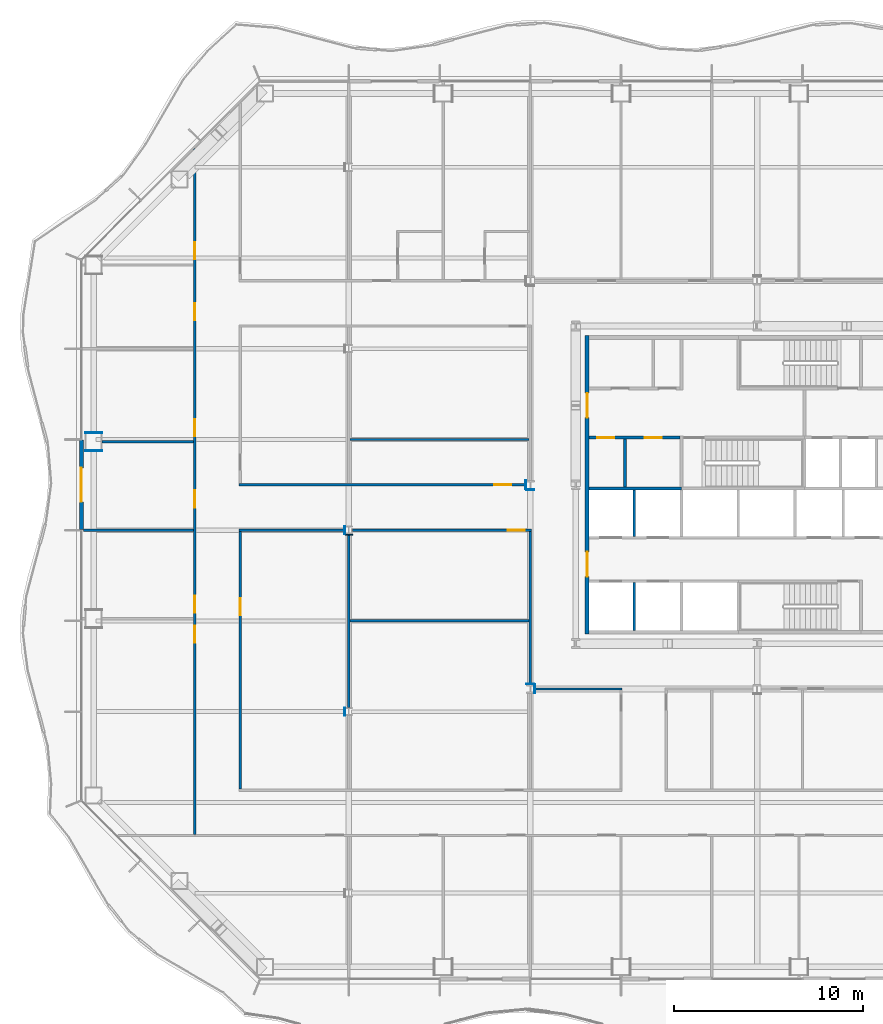
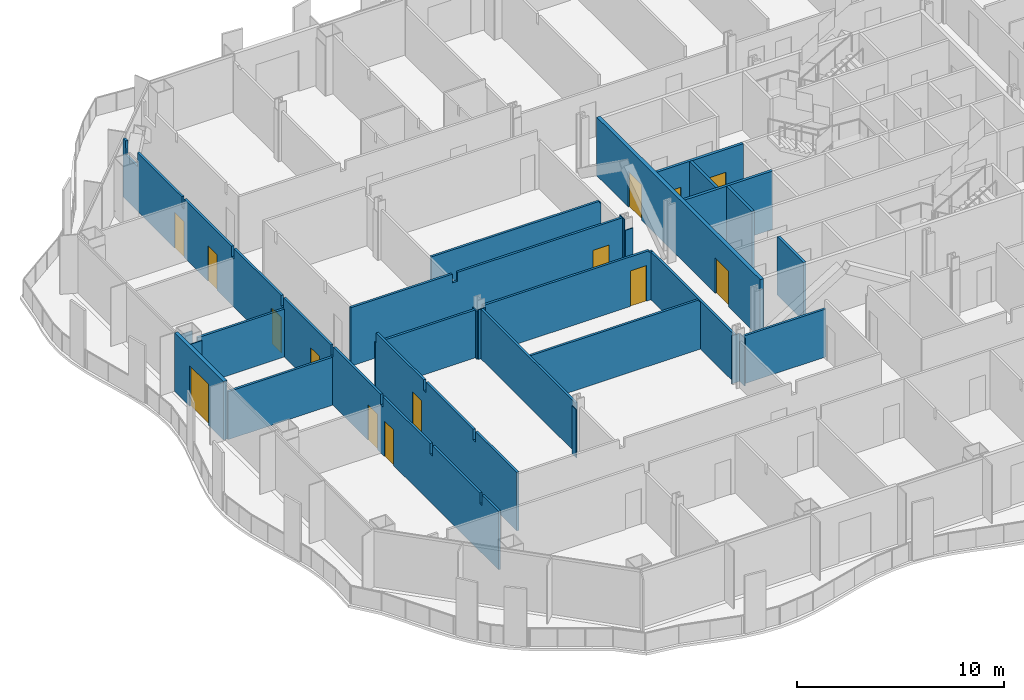
# One storey, part 8 of 21: 28 walls, 14 doors, 14 openings.
"""IFC4 building model written with IfcOpenShell, lengths in metres."""

from ifc_helpers import new_model, si_unit, direction, frame, frame_2d, origin, place, context, subcontext, project, spatial, polyline, rectangle, outline, extrude, material, layer, layer_set, type_object, element, fill, save


model = new_model("IFC4")

# Units and contexts
model_context = context("Model", 3, precision=1e-05, world=origin(), true_north=direction((0.0, 1.0)))
body_context = subcontext(model_context, "Body", "Model", "MODEL_VIEW")
ifc_project = project(units=[si_unit("LENGTHUNIT", "METRE"), si_unit("AREAUNIT", "SQUARE_METRE"), si_unit("VOLUMEUNIT", "CUBIC_METRE"), si_unit("PLANEANGLEUNIT", "RADIAN"), si_unit("MASSUNIT", "GRAM", prefix="KILO")], contexts=[model_context])

# Site, building, storey
site_placement = place(None, origin())
site = spatial("IfcSite", under=ifc_project, at=site_placement, CompositionType="ELEMENT")
building_placement = place(site_placement, origin())
building = spatial("IfcBuilding", under=site, at=building_placement, Name="Cairn Pilgrim Tower", CompositionType="ELEMENT")
storey_placement = place(building_placement, frame((0.0, 0.0, 69.0)))
storey = spatial("IfcBuildingStorey", under=building, at=storey_placement, Name="L15", CompositionType="ELEMENT", Elevation=69.0)

# Wall, opening, door
ifc_material_1 = material(Name="Bronze anodised aluminium insulated sandwich panel with mineral wool fill", Category="aluminium")
ifc_layer_1 = layer(ifc_material_1, 0.199951171875)
ifc_layer_set_1 = layer_set([ifc_layer_1], Name="BRONZE INFILL FRAME WALL 200")
wall_type_1 = type_object("IfcWallType", Name="BRONZE INFILL FRAME WALL 200", PredefinedType="NOTDEFINED", material=ifc_layer_set_1)
wall_1_placement = place(storey_placement, frame((-28.550048828125, 4.77001953125, 0.0), z_axis=(0.0, 0.0, 1.0), x_axis=(0.0, -1.0, 0.0)))
wall_1 = element("IfcWall", 1, at=wall_1_placement, inside=storey, type_object=wall_type_1, Name="Bronze infill frame wall IW-W3", PredefinedType="NOTDEFINED", context=body_context, shape_type="SweptSolid", body=[
    extrude(rectangle(XDim=4.739990234375, YDim=0.199951171875, at=frame_2d((2.3701171875, 0.0))), origin(), (0.0, 0.0, 1.0), 3.449951171875),
])
opening_1_placement = place(wall_1_placement, frame((1.469970703125, 0.0, 0.0)))
opening_1 = element("IfcOpeningElement", 2, at=opening_1_placement, cuts=wall_1, Name="Opening 1511B", PredefinedType="OPENING", context=body_context, shape_type="SweptSolid", body=[
    extrude(rectangle(XDim=1.800048828125, YDim=2.39990234375, at=frame_2d((0.89990234375, 1.199951171875))), frame((0.0, 0.10986328125, 0.0), z_axis=(0.0, -1.0, 0.0), x_axis=(1.0, 0.0, 0.0)), (0.0, 0.0, 1.0), 0.219970703125),
])
ifc_material_2 = material(Name="Bronze anodised aluminium frame with tinted low-E glass", Category="aluminium")
door_type_1 = type_object("IfcDoorType", Name="BALCONY SLIDING DOOR 1800x2400", OperationType="DOUBLE_DOOR_SLIDING", PredefinedType="DOOR", material=ifc_material_2)
door_1_placement = place(opening_1_placement, origin())
door_1 = element("IfcDoor", 3, at=door_1_placement, inside=storey, type_object=door_type_1, Name="Balcony sliding door 1511B", OperationType="SINGLE_SWING_LEFT", OverallHeight=2.39990234375, OverallWidth=1.800048828125, PredefinedType="DOOR", context=body_context, shape_type="SweptSolid", body=[
    extrude(rectangle(XDim=1.800048828125, YDim=2.39990234375, at=frame_2d((0.89990234375, 1.199951171875))), frame((0.0, 0.02490234375, 0.0), z_axis=(0.0, -1.0, 0.0), x_axis=(1.0, 0.0, 0.0)), (0.0, 0.0, 1.0), 0.050048828125),
])
fill(opening_1, door_1)

# Wall, openings, doors
ifc_material_3 = material(Name="Concrete C32/40", Category="concrete")
ifc_layer_2 = layer(ifc_material_3, 0.199951171875)
ifc_layer_set_2 = layer_set([ifc_layer_2], Name="CORE OUTER WALL 200 EI 120")
wall_type_2 = type_object("IfcWallType", Name="CORE OUTER WALL 200 EI 120", PredefinedType="SOLIDWALL", material=ifc_layer_set_2)
wall_2_placement = place(storey_placement, frame((-1.800048828125, -5.5, 0.0), z_axis=(0.0, 0.0, 1.0), x_axis=(0.0, 1.0, 0.0)))
wall_2 = element("IfcWall", 4, at=wall_2_placement, inside=storey, type_object=wall_type_2, Name="CW:L15:V12", PredefinedType="SOLIDWALL", context=body_context, shape_type="SweptSolid", body=[
    extrude(rectangle(XDim=15.800048828125, YDim=0.199951171875, at=frame_2d((7.89990234375, 0.0))), origin(), (0.0, 0.0, 1.0), 3.449951171875),
])
opening_2_placement = place(wall_2_placement, frame((3.050048828125, 0.0, 0.0)))
opening_2 = element("IfcOpeningElement", 5, at=opening_2_placement, cuts=wall_2, Name="Opening CD-W1", PredefinedType="OPENING", context=body_context, shape_type="SweptSolid", body=[
    extrude(rectangle(XDim=1.300048828125, YDim=2.10009765625, at=frame_2d((0.64990234375, 1.050048828125))), frame((0.0, 0.10986328125, 0.0), z_axis=(0.0, -1.0, 0.0), x_axis=(1.0, 0.0, 0.0)), (0.0, 0.0, 1.0), 0.219970703125),
])
opening_3_placement = place(wall_2_placement, frame((11.449951171875, 0.0, 0.0)))
opening_3 = element("IfcOpeningElement", 6, at=opening_3_placement, cuts=wall_2, Name="Opening CD-W2", PredefinedType="OPENING", context=body_context, shape_type="SweptSolid", body=[
    extrude(rectangle(XDim=1.300048828125, YDim=2.10009765625, at=frame_2d((0.64990234375, 1.050048828125))), frame((0.0, 0.10986328125, 0.0), z_axis=(0.0, -1.0, 0.0), x_axis=(1.0, 0.0, 0.0)), (0.0, 0.0, 1.0), 0.219970703125),
])
ifc_material_4 = material(Name="Painted steel", Category="steel")
door_type_2 = type_object("IfcDoorType", Name="CORE LOBBY DOOR 1300x2100", OperationType="DOUBLE_DOOR_SINGLE_SWING", PredefinedType="DOOR", material=ifc_material_4)
door_2_placement = place(opening_2_placement, origin())
door_2 = element("IfcDoor", 7, at=door_2_placement, inside=storey, type_object=door_type_2, Name="CD-W1", OperationType="DOUBLE_DOOR_SINGLE_SWING", OverallHeight=2.10009765625, OverallWidth=1.300048828125, PredefinedType="DOOR", context=body_context, shape_type="SweptSolid", body=[
    extrude(rectangle(XDim=1.300048828125, YDim=2.10009765625, at=frame_2d((0.64990234375, 1.050048828125))), frame((0.0, 0.02490234375, 0.0), z_axis=(0.0, -1.0, 0.0), x_axis=(1.0, 0.0, 0.0)), (0.0, 0.0, 1.0), 0.050048828125),
])
fill(opening_2, door_2)
door_3_placement = place(opening_3_placement, origin())
door_3 = element("IfcDoor", 8, at=door_3_placement, inside=storey, type_object=door_type_2, Name="CD-W2", OperationType="DOUBLE_DOOR_SINGLE_SWING", OverallHeight=2.10009765625, OverallWidth=1.300048828125, PredefinedType="DOOR", context=body_context, shape_type="SweptSolid", body=[
    extrude(rectangle(XDim=1.300048828125, YDim=2.10009765625, at=frame_2d((0.64990234375, 1.050048828125))), frame((0.0, 0.02490234375, 0.0), z_axis=(0.0, -1.0, 0.0), x_axis=(1.0, 0.0, 0.0)), (0.0, 0.0, 1.0), 0.050048828125),
])
fill(opening_3, door_3)

ifc_layer_3 = layer(ifc_material_3, 0.14990234375)
ifc_layer_set_3 = layer_set([ifc_layer_3], Name="CORE PARTITION 150 EI 60")
wall_type_3 = type_object("IfcWallType", Name="CORE PARTITION 150 EI 60", PredefinedType="PARTITIONING", material=ifc_layer_set_3)
wall_3_placement = place(storey_placement, frame((-1.699951171875, 4.89990234375, 0.0), z_axis=(0.0, 0.0, 1.0), x_axis=(1.0, 0.0, 0.0)))
wall_3 = element("IfcWall", 9, at=wall_3_placement, inside=storey, type_object=wall_type_3, Name="CW:L15:H07", PredefinedType="PARTITIONING", context=body_context, shape_type="SweptSolid", body=[
    extrude(rectangle(XDim=4.824951171875, YDim=0.14990234375, at=frame_2d((2.41259765625, 0.0))), origin(), (0.0, 0.0, 1.0), 3.449951171875),
])
opening_4_placement = place(wall_3_placement, frame((0.449951171875, 0.0, 0.0)))
opening_4 = element("IfcOpeningElement", 10, at=opening_4_placement, cuts=wall_3, Name="Opening RD-R3W1", PredefinedType="OPENING", context=body_context, shape_type="SweptSolid", body=[
    extrude(rectangle(XDim=0.89990234375, YDim=2.10009765625, at=frame_2d((0.449951171875, 1.050048828125))), frame((0.0, 0.0849609375, 0.0), z_axis=(0.0, -1.0, 0.0), x_axis=(1.0, 0.0, 0.0)), (0.0, 0.0, 1.0), 0.169921875),
])
opening_5_placement = place(wall_3_placement, frame((2.949951171875, 0.0, 0.0)))
opening_5 = element("IfcOpeningElement", 11, at=opening_5_placement, cuts=wall_3, Name="Opening RD-R3W2", PredefinedType="OPENING", context=body_context, shape_type="SweptSolid", body=[
    extrude(rectangle(XDim=0.89990234375, YDim=2.10009765625, at=frame_2d((0.449951171875, 1.050048828125))), frame((0.0, 0.0849609375, 0.0), z_axis=(0.0, -1.0, 0.0), x_axis=(1.0, 0.0, 0.0)), (0.0, 0.0, 1.0), 0.169921875),
])
door_type_3 = type_object("IfcDoorType", Name="SERVICE ROOM DOOR 900x2100", OperationType="SINGLE_SWING_LEFT", PredefinedType="DOOR", material=ifc_material_4)
door_4_placement = place(opening_4_placement, origin())
door_4 = element("IfcDoor", 12, at=door_4_placement, inside=storey, type_object=door_type_3, Name="RD-R3W1", OperationType="SINGLE_SWING_LEFT", OverallHeight=2.10009765625, OverallWidth=0.89990234375, PredefinedType="DOOR", context=body_context, shape_type="SweptSolid", body=[
    extrude(rectangle(XDim=0.89990234375, YDim=2.10009765625, at=frame_2d((0.449951171875, 1.050048828125))), frame((0.0, 0.02490234375, 0.0), z_axis=(0.0, -1.0, 0.0), x_axis=(1.0, 0.0, 0.0)), (0.0, 0.0, 1.0), 0.050048828125),
])
fill(opening_4, door_4)
door_5_placement = place(opening_5_placement, origin())
door_5 = element("IfcDoor", 13, at=door_5_placement, inside=storey, type_object=door_type_3, Name="RD-R3W2", OperationType="SINGLE_SWING_RIGHT", OverallHeight=2.10009765625, OverallWidth=0.89990234375, PredefinedType="DOOR", context=body_context, shape_type="SweptSolid", body=[
    extrude(rectangle(XDim=0.89990234375, YDim=2.10009765625, at=frame_2d((0.449951171875, 1.050048828125))), frame((0.0, 0.02490234375, 0.0), z_axis=(0.0, -1.0, 0.0), x_axis=(1.0, 0.0, 0.0)), (0.0, 0.0, 1.0), 0.050048828125),
])
fill(opening_5, door_5)

# Walls
wall_4_placement = place(storey_placement, frame((0.199951171875, 2.27490234375, 0.0), z_axis=(0.0, 0.0, 1.0), x_axis=(0.0, 1.0, 0.0)))
element("IfcWall", 14, at=wall_4_placement, inside=storey, type_object=wall_type_3, Name="CW:L15:V13", PredefinedType="PARTITIONING", context=body_context, shape_type="SweptSolid", body=[
    extrude(rectangle(XDim=2.550048828125, YDim=0.14990234375, at=frame_2d((1.27490234375, 0.0))), origin(), (0.0, 0.0, 1.0), 3.449951171875),
])
ifc_layer_4 = layer(ifc_material_3, 0.14990234375)
ifc_layer_set_4 = layer_set([ifc_layer_4], Name="CORE SHAFT WALL 150 EI 120")
wall_type_4 = type_object("IfcWallType", Name="CORE SHAFT WALL 150 EI 120", PredefinedType="SOLIDWALL", material=ifc_layer_set_4)
wall_5_placement = place(storey_placement, frame((-1.699951171875, 2.199951171875, 0.0), z_axis=(0.0, 0.0, 1.0), x_axis=(1.0, 0.0, 0.0)))
element("IfcWall", 15, at=wall_5_placement, inside=storey, type_object=wall_type_4, Name="CW:L15:H05-1", PredefinedType="SOLIDWALL", context=body_context, shape_type="SweptSolid", body=[
    extrude(rectangle(XDim=4.89990234375, YDim=0.14990234375, at=frame_2d((2.449951171875, 0.0))), origin(), (0.0, 0.0, 1.0), 3.449951171875),
])
wall_6_placement = place(storey_placement, frame((0.699951171875, -5.300048828125, 0.0), z_axis=(0.0, 0.0, 1.0), x_axis=(0.0, 1.0, 0.0)))
element("IfcWall", 16, at=wall_6_placement, inside=storey, type_object=wall_type_4, Name="CW:L15:V14", PredefinedType="SOLIDWALL", context=body_context, shape_type="SweptSolid", body=[
    extrude(rectangle(XDim=2.525146484375, YDim=0.14990234375, at=frame_2d((1.2626953125, 0.0))), origin(), (0.0, 0.0, 1.0), 3.449951171875),
])
wall_7_placement = place(storey_placement, frame((0.699951171875, -0.324951171875, 0.0), z_axis=(0.0, 0.0, 1.0), x_axis=(0.0, 1.0, 0.0)))
element("IfcWall", 17, at=wall_7_placement, inside=storey, type_object=wall_type_4, Name="CW:L15:V15", PredefinedType="SOLIDWALL", context=body_context, shape_type="SweptSolid", body=[
    extrude(rectangle(XDim=2.449951171875, YDim=0.14990234375, at=frame_2d((1.22509765625, 0.0))), origin(), (0.0, 0.0, 1.0), 3.449951171875),
])

# Wall, openings, doors
ifc_material_5 = material(Name="Gypsum partition")
ifc_layer_5 = layer(ifc_material_5, 0.125)
ifc_layer_set_5 = layer_set([ifc_layer_5], Name="PARTITION 125 DRYWALL EI 60")
wall_type_5 = type_object("IfcWallType", Name="PARTITION 125 DRYWALL EI 60", PredefinedType="PARTITIONING", material=ifc_layer_set_5)
wall_8_placement = place(storey_placement, frame((-22.550048828125, -16.08740234375, 0.0), z_axis=(0.0, 0.0, 1.0), x_axis=(0.0, 1.0, 0.0)))
wall_8 = element("IfcWall", 18, at=wall_8_placement, inside=storey, type_object=wall_type_5, Name="PARTITION W014", PredefinedType="PARTITIONING", context=body_context, shape_type="SweptSolid", body=[
    extrude(outline(polyline([(0.0, 0.0), (36.276123046875, 0.0), (36.276123046875, 3.449951171875), (36.022216796875, 3.449951171875), (36.020263671875, 2.6298828125), (34.9072265625, 2.6298828125), (34.9052734375, 3.449951171875), (30.597412109375, 3.449951171875), (30.595458984375, 2.830078125), (30.37744140625, 2.830078125), (30.37548828125, 3.449951171875), (25.797607421875, 3.449951171875), (25.79541015625, 2.830078125), (25.577392578125, 2.830078125), (25.575439453125, 3.449951171875), (20.99755859375, 3.449951171875), (20.99560546875, 2.830078125), (20.777587890625, 2.830078125), (20.775390625, 3.449951171875), (16.197509765625, 3.449951171875), (16.195556640625, 2.830078125), (15.9775390625, 2.830078125), (15.9755859375, 3.449951171875), (11.3974609375, 3.449951171875), (11.3955078125, 2.830078125), (11.177490234375, 2.830078125), (11.175537109375, 3.449951171875), (6.597412109375, 3.449951171875), (6.595458984375, 2.830078125), (6.37744140625, 2.830078125), (6.37548828125, 3.449951171875), (1.797607421875, 3.449951171875), (1.79541015625, 2.830078125), (1.577392578125, 2.830078125), (1.575439453125, 3.449951171875), (0.0, 3.449951171875), (0.0, 0.0)])), frame((0.0, 0.0625, 0.0), z_axis=(0.0, -1.0, 0.0), x_axis=(1.0, 0.0, 0.0)), (0.0, 0.0, 1.0), 0.125),
])
opening_6_placement = place(wall_8_placement, frame((10.137451171875, 0.0, 0.0)))
opening_6 = element("IfcOpeningElement", 19, at=opening_6_placement, cuts=wall_8, Name="Opening 1509", PredefinedType="OPENING", context=body_context, shape_type="SweptSolid", body=[
    extrude(rectangle(XDim=0.89990234375, YDim=2.10009765625, at=frame_2d((0.449951171875, 1.050048828125))), frame((0.0, 0.072509765625, 0.0), z_axis=(0.0, -1.0, 0.0), x_axis=(1.0, 0.0, 0.0)), (0.0, 0.0, 1.0), 0.14501953125),
])
opening_7_placement = place(wall_8_placement, frame((11.71142578125, 0.0, 0.0)))
opening_7 = element("IfcOpeningElement", 20, at=opening_7_placement, cuts=wall_8, Name="Opening 1510", PredefinedType="OPENING", context=body_context, shape_type="SweptSolid", body=[
    extrude(rectangle(XDim=0.89990234375, YDim=2.10009765625, at=frame_2d((0.449951171875, 1.050048828125))), frame((0.0, 0.072509765625, 0.0), z_axis=(0.0, -1.0, 0.0), x_axis=(1.0, 0.0, 0.0)), (0.0, 0.0, 1.0), 0.14501953125),
])
opening_8_placement = place(wall_8_placement, frame((17.28759765625, 0.0, 0.0)))
opening_8 = element("IfcOpeningElement", 21, at=opening_8_placement, cuts=wall_8, Name="Opening 1511", PredefinedType="OPENING", context=body_context, shape_type="SweptSolid", body=[
    extrude(rectangle(XDim=0.89990234375, YDim=2.10009765625, at=frame_2d((0.449951171875, 1.050048828125))), frame((0.0, 0.072509765625, 0.0), z_axis=(0.0, -1.0, 0.0), x_axis=(1.0, 0.0, 0.0)), (0.0, 0.0, 1.0), 0.14501953125),
])
opening_9_placement = place(wall_8_placement, frame((21.0634765625, 0.0, 0.0)))
opening_9 = element("IfcOpeningElement", 22, at=opening_9_placement, cuts=wall_8, Name="Opening 1512", PredefinedType="OPENING", context=body_context, shape_type="SweptSolid", body=[
    extrude(rectangle(XDim=0.89990234375, YDim=2.10009765625, at=frame_2d((0.449951171875, 1.050048828125))), frame((0.0, 0.072509765625, 0.0), z_axis=(0.0, -1.0, 0.0), x_axis=(1.0, 0.0, 0.0)), (0.0, 0.0, 1.0), 0.14501953125),
])
opening_10_placement = place(wall_8_placement, frame((27.1875, 0.0, 0.0)))
opening_10 = element("IfcOpeningElement", 23, at=opening_10_placement, cuts=wall_8, Name="Opening 1513", PredefinedType="OPENING", context=body_context, shape_type="SweptSolid", body=[
    extrude(rectangle(XDim=0.89990234375, YDim=2.10009765625, at=frame_2d((0.449951171875, 1.050048828125))), frame((0.0, 0.072509765625, 0.0), z_axis=(0.0, -1.0, 0.0), x_axis=(1.0, 0.0, 0.0)), (0.0, 0.0, 1.0), 0.14501953125),
])
opening_11_placement = place(wall_8_placement, frame((30.41455078125, 0.0, 0.0)))
opening_11 = element("IfcOpeningElement", 24, at=opening_11_placement, cuts=wall_8, Name="Opening 1514", PredefinedType="OPENING", context=body_context, shape_type="SweptSolid", body=[
    extrude(rectangle(XDim=0.89990234375, YDim=2.10009765625, at=frame_2d((0.449951171875, 1.050048828125))), frame((0.0, 0.072509765625, 0.0), z_axis=(0.0, -1.0, 0.0), x_axis=(1.0, 0.0, 0.0)), (0.0, 0.0, 1.0), 0.14501953125),
])
ifc_material_6 = material(Name="Steel-faced fire door leaf", Category="steel")
door_type_4 = type_object("IfcDoorType", Name="FIRE DOOR 900x2100 FD30S", OperationType="NOTDEFINED", PredefinedType="DOOR", material=ifc_material_6)
door_6_placement = place(opening_6_placement, origin())
door_6 = element("IfcDoor", 25, at=door_6_placement, inside=storey, type_object=door_type_4, Name="DOOR 1509", OperationType="SINGLE_SWING_RIGHT", OverallHeight=2.10009765625, OverallWidth=0.89990234375, PredefinedType="DOOR", context=body_context, shape_type="SweptSolid", body=[
    extrude(rectangle(XDim=0.89990234375, YDim=2.10009765625, at=frame_2d((0.449951171875, 1.050048828125))), frame((0.0, 0.02490234375, 0.0), z_axis=(0.0, -1.0, 0.0), x_axis=(1.0, 0.0, 0.0)), (0.0, 0.0, 1.0), 0.050048828125),
])
fill(opening_6, door_6)
door_7_placement = place(opening_7_placement, origin())
door_7 = element("IfcDoor", 26, at=door_7_placement, inside=storey, type_object=door_type_4, Name="DOOR 1510", OperationType="SINGLE_SWING_LEFT", OverallHeight=2.10009765625, OverallWidth=0.89990234375, PredefinedType="DOOR", context=body_context, shape_type="SweptSolid", body=[
    extrude(rectangle(XDim=0.89990234375, YDim=2.10009765625, at=frame_2d((0.449951171875, 1.050048828125))), frame((0.0, 0.02490234375, 0.0), z_axis=(0.0, -1.0, 0.0), x_axis=(1.0, 0.0, 0.0)), (0.0, 0.0, 1.0), 0.050048828125),
])
fill(opening_7, door_7)
door_8_placement = place(opening_8_placement, origin())
door_8 = element("IfcDoor", 27, at=door_8_placement, inside=storey, type_object=door_type_4, Name="DOOR 1511", OperationType="SINGLE_SWING_RIGHT", OverallHeight=2.10009765625, OverallWidth=0.89990234375, PredefinedType="DOOR", context=body_context, shape_type="SweptSolid", body=[
    extrude(rectangle(XDim=0.89990234375, YDim=2.10009765625, at=frame_2d((0.449951171875, 1.050048828125))), frame((0.0, 0.02490234375, 0.0), z_axis=(0.0, -1.0, 0.0), x_axis=(1.0, 0.0, 0.0)), (0.0, 0.0, 1.0), 0.050048828125),
])
fill(opening_8, door_8)
door_9_placement = place(opening_9_placement, origin())
door_9 = element("IfcDoor", 28, at=door_9_placement, inside=storey, type_object=door_type_4, Name="DOOR 1512", OperationType="SINGLE_SWING_LEFT", OverallHeight=2.10009765625, OverallWidth=0.89990234375, PredefinedType="DOOR", context=body_context, shape_type="SweptSolid", body=[
    extrude(rectangle(XDim=0.89990234375, YDim=2.10009765625, at=frame_2d((0.449951171875, 1.050048828125))), frame((0.0, 0.02490234375, 0.0), z_axis=(0.0, -1.0, 0.0), x_axis=(1.0, 0.0, 0.0)), (0.0, 0.0, 1.0), 0.050048828125),
])
fill(opening_9, door_9)
door_10_placement = place(opening_10_placement, origin())
door_10 = element("IfcDoor", 29, at=door_10_placement, inside=storey, type_object=door_type_4, Name="DOOR 1513", OperationType="SINGLE_SWING_RIGHT", OverallHeight=2.10009765625, OverallWidth=0.89990234375, PredefinedType="DOOR", context=body_context, shape_type="SweptSolid", body=[
    extrude(rectangle(XDim=0.89990234375, YDim=2.10009765625, at=frame_2d((0.449951171875, 1.050048828125))), frame((0.0, 0.02490234375, 0.0), z_axis=(0.0, -1.0, 0.0), x_axis=(1.0, 0.0, 0.0)), (0.0, 0.0, 1.0), 0.050048828125),
])
fill(opening_10, door_10)
door_11_placement = place(opening_11_placement, origin())
door_11 = element("IfcDoor", 30, at=door_11_placement, inside=storey, type_object=door_type_4, Name="DOOR 1514", OperationType="SINGLE_SWING_LEFT", OverallHeight=2.10009765625, OverallWidth=0.89990234375, PredefinedType="DOOR", context=body_context, shape_type="SweptSolid", body=[
    extrude(rectangle(XDim=0.89990234375, YDim=2.10009765625, at=frame_2d((0.449951171875, 1.050048828125))), frame((0.0, 0.02490234375, 0.0), z_axis=(0.0, -1.0, 0.0), x_axis=(1.0, 0.0, 0.0)), (0.0, 0.0, 1.0), 0.050048828125),
])
fill(opening_11, door_11)

# Wall, opening, door
wall_9_placement = place(storey_placement, frame((-20.14990234375, -13.6875, 0.0), z_axis=(0.0, 0.0, 1.0), x_axis=(0.0, 1.0, 0.0)))
wall_9 = element("IfcWall", 31, at=wall_9_placement, inside=storey, type_object=wall_type_5, Name="PARTITION W018", PredefinedType="PARTITIONING", context=body_context, shape_type="SweptSolid", body=[
    extrude(outline(polyline([(0.0, 0.0), (13.625, 0.0), (13.625, 2.830078125), (13.577392578125, 2.830078125), (13.575439453125, 3.449951171875), (8.99755859375, 3.449951171875), (8.99560546875, 2.830078125), (8.777587890625, 2.830078125), (8.775390625, 3.449951171875), (4.197509765625, 3.449951171875), (4.195556640625, 2.830078125), (3.9775390625, 2.830078125), (3.9755859375, 3.449951171875), (0.0, 3.449951171875), (0.0, 0.0)])), frame((0.0, 0.0625, 0.0), z_axis=(0.0, -1.0, 0.0), x_axis=(1.0, 0.0, 0.0)), (0.0, 0.0, 1.0), 0.125),
])
opening_12_placement = place(wall_9_placement, frame((9.1875, 0.0, 0.0)))
opening_12 = element("IfcOpeningElement", 32, at=opening_12_placement, cuts=wall_9, Name="Opening 1533", PredefinedType="OPENING", context=body_context, shape_type="SweptSolid", body=[
    extrude(rectangle(XDim=0.89990234375, YDim=2.10009765625, at=frame_2d((0.449951171875, 1.050048828125))), frame((0.0, 0.072509765625, 0.0), z_axis=(0.0, -1.0, 0.0), x_axis=(1.0, 0.0, 0.0)), (0.0, 0.0, 1.0), 0.14501953125),
])
door_12_placement = place(opening_12_placement, frame((0.89990234375, 0.0, 0.0), z_axis=(0.0, 0.0, 1.0), x_axis=(-1.0, 0.0, 0.0)))
door_12 = element("IfcDoor", 33, at=door_12_placement, inside=storey, type_object=door_type_4, Name="DOOR 1533", OperationType="SINGLE_SWING_RIGHT", OverallHeight=2.10009765625, OverallWidth=0.89990234375, PredefinedType="DOOR", context=body_context, shape_type="SweptSolid", body=[
    extrude(rectangle(XDim=0.89990234375, YDim=2.10009765625, at=frame_2d((0.449951171875, 1.050048828125))), frame((0.0, 0.02490234375, 0.0), z_axis=(0.0, -1.0, 0.0), x_axis=(1.0, 0.0, 0.0)), (0.0, 0.0, 1.0), 0.050048828125),
])
fill(opening_12, door_12)

# Walls
wall_10_placement = place(storey_placement, frame((-14.39990234375, -9.387451171875, 0.0), z_axis=(0.0, 0.0, 1.0), x_axis=(0.0, 1.0, 0.0)))
element("IfcWall", 34, at=wall_10_placement, inside=storey, type_object=wall_type_5, Name="PARTITION W029", PredefinedType="PARTITIONING", context=body_context, shape_type="SweptSolid", body=[
    extrude(rectangle(XDim=9.175048828125, YDim=0.125, at=frame_2d((4.58740234375, 0.0))), origin(), (0.0, 0.0, 1.0), 2.929931640625),
])
wall_11_placement = place(storey_placement, frame((-4.587890625, -8.39990234375, 0.0), z_axis=(0.0, 0.0, 1.0), x_axis=(1.0, 0.0, 0.0)))
element("IfcWall", 35, at=wall_11_placement, inside=storey, type_object=wall_type_5, Name="PARTITION W030", PredefinedType="PARTITIONING", context=body_context, shape_type="SweptSolid", body=[
    extrude(rectangle(XDim=4.650390625, YDim=0.125, at=frame_2d((2.3251953125, 0.0))), origin(), (0.0, 0.0, 1.0), 2.830078125),
])
wall_12_placement = place(storey_placement, frame((-4.800048828125, -8.1630859375, 0.0), z_axis=(0.0, 0.0, 1.0), x_axis=(0.0, 1.0, 0.0)))
element("IfcWall", 36, at=wall_12_placement, inside=storey, type_object=wall_type_5, Name="PARTITION W033", PredefinedType="PARTITIONING", context=body_context, shape_type="SweptSolid", body=[
    extrude(rectangle(XDim=8.1005859375, YDim=0.125, at=frame_2d((4.05029296875, 0.0))), origin(), (0.0, 0.0, 1.0), 2.830078125),
])
wall_13_placement = place(storey_placement, frame((-14.33740234375, -4.800048828125, 0.0), z_axis=(0.0, 0.0, 1.0), x_axis=(1.0, 0.0, 0.0)))
element("IfcWall", 37, at=wall_13_placement, inside=storey, type_object=wall_type_5, Name="PARTITION W036", PredefinedType="PARTITIONING", context=body_context, shape_type="SweptSolid", body=[
    extrude(outline(polyline([(0.0, 0.0), (9.474853515625, 0.0), (9.47509765625, 2.830078125), (9.387451171875, 2.830078125), (9.385498046875, 2.929931640625), (0.0, 2.929931640625), (0.0, 0.0)])), frame((0.0, 0.0625, 0.0), z_axis=(0.0, -1.0, 0.0), x_axis=(1.0, 0.0, 0.0)), (0.0, 0.0, 1.0), 0.125),
])
wall_14_placement = place(storey_placement, frame((-28.449951171875, 0.0, 0.0), z_axis=(0.0, 0.0, 1.0), x_axis=(1.0, 0.0, 0.0)))
element("IfcWall", 38, at=wall_14_placement, inside=storey, type_object=wall_type_5, Name="PARTITION W043", PredefinedType="PARTITIONING", context=body_context, shape_type="SweptSolid", body=[
    extrude(rectangle(XDim=5.83740234375, YDim=0.125, at=frame_2d((2.918701171875, 0.0))), origin(), (0.0, 0.0, 1.0), 2.830078125),
])
wall_15_placement = place(storey_placement, frame((-20.21240234375, 0.0, 0.0), z_axis=(0.0, 0.0, 1.0), x_axis=(1.0, 0.0, 0.0)))
element("IfcWall", 39, at=wall_15_placement, inside=storey, type_object=wall_type_5, Name="PARTITION W044", PredefinedType="PARTITIONING", context=body_context, shape_type="SweptSolid", body=[
    extrude(rectangle(XDim=5.60791015625, YDim=0.125, at=frame_2d((2.803955078125, 0.0))), origin(), (0.0, 0.0, 1.0), 2.830078125),
])

# Wall, opening, door
wall_16_placement = place(storey_placement, frame((-14.195556640625, 0.0, 0.0), z_axis=(0.0, 0.0, 1.0), x_axis=(1.0, 0.0, 0.0)))
wall_16 = element("IfcWall", 40, at=wall_16_placement, inside=storey, type_object=wall_type_5, Name="PARTITION W045", PredefinedType="PARTITIONING", context=body_context, shape_type="SweptSolid", body=[
    extrude(outline(polyline([(0.0, 0.0), (9.4580078125, 0.0), (9.4580078125, 2.830078125), (9.24560546875, 2.830078125), (9.243408203125, 2.929931640625), (0.0, 2.929931640625), (0.0, 0.0)])), frame((0.0, 0.0625, 0.0), z_axis=(0.0, -1.0, 0.0), x_axis=(1.0, 0.0, 0.0)), (0.0, 0.0, 1.0), 0.125),
])
opening_13_placement = place(wall_16_placement, frame((8.195556640625, 0.0, 0.0)))
opening_13 = element("IfcOpeningElement", 41, at=opening_13_placement, cuts=wall_16, Name="Opening 1530", PredefinedType="OPENING", context=body_context, shape_type="SweptSolid", body=[
    extrude(rectangle(XDim=0.89990234375, YDim=2.10009765625, at=frame_2d((0.449951171875, 1.050048828125))), frame((0.0, 0.072509765625, 0.0), z_axis=(0.0, -1.0, 0.0), x_axis=(1.0, 0.0, 0.0)), (0.0, 0.0, 1.0), 0.14501953125),
])
door_13_placement = place(opening_13_placement, frame((0.89990234375, 0.0, 0.0), z_axis=(0.0, 0.0, 1.0), x_axis=(-1.0, 0.0, 0.0)))
door_13 = element("IfcDoor", 42, at=door_13_placement, inside=storey, type_object=door_type_4, Name="DOOR 1530", OperationType="SINGLE_SWING_LEFT", OverallHeight=2.10009765625, OverallWidth=0.89990234375, PredefinedType="DOOR", context=body_context, shape_type="SweptSolid", body=[
    extrude(rectangle(XDim=0.89990234375, YDim=2.10009765625, at=frame_2d((0.449951171875, 1.050048828125))), frame((0.0, 0.02490234375, 0.0), z_axis=(0.0, -1.0, 0.0), x_axis=(1.0, 0.0, 0.0)), (0.0, 0.0, 1.0), 0.050048828125),
])
fill(opening_13, door_13)

wall_17_placement = place(storey_placement, frame((-20.21240234375, 2.39990234375, 0.0), z_axis=(0.0, 0.0, 1.0), x_axis=(1.0, 0.0, 0.0)))
wall_17 = element("IfcWall", 43, at=wall_17_placement, inside=storey, type_object=wall_type_5, Name="PARTITION W049", PredefinedType="PARTITIONING", context=body_context, shape_type="SweptSolid", body=[
    extrude(outline(polyline([(0.0, 0.0), (15.200439453125, 0.0), (15.200439453125, 3.449951171875), (5.96240234375, 3.449951171875), (5.96044921875, 2.929931640625), (5.66259765625, 2.929931640625), (5.660400390625, 3.449951171875), (0.0, 3.449951171875), (0.0, 0.0)])), frame((0.0, 0.0625, 0.0), z_axis=(0.0, -1.0, 0.0), x_axis=(1.0, 0.0, 0.0)), (0.0, 0.0, 1.0), 0.125),
])
opening_14_placement = place(wall_17_placement, frame((13.512451171875, 0.0, 0.0)))
opening_14 = element("IfcOpeningElement", 44, at=opening_14_placement, cuts=wall_17, Name="Opening 1531", PredefinedType="OPENING", context=body_context, shape_type="SweptSolid", body=[
    extrude(rectangle(XDim=0.89990234375, YDim=2.10009765625, at=frame_2d((0.449951171875, 1.050048828125))), frame((0.0, 0.072509765625, 0.0), z_axis=(0.0, -1.0, 0.0), x_axis=(1.0, 0.0, 0.0)), (0.0, 0.0, 1.0), 0.14501953125),
])
door_14_placement = place(opening_14_placement, origin())
door_14 = element("IfcDoor", 45, at=door_14_placement, inside=storey, type_object=door_type_4, Name="DOOR 1531", OperationType="SINGLE_SWING_RIGHT", OverallHeight=2.10009765625, OverallWidth=0.89990234375, PredefinedType="DOOR", context=body_context, shape_type="SweptSolid", body=[
    extrude(rectangle(XDim=0.89990234375, YDim=2.10009765625, at=frame_2d((0.449951171875, 1.050048828125))), frame((0.0, 0.02490234375, 0.0), z_axis=(0.0, -1.0, 0.0), x_axis=(1.0, 0.0, 0.0)), (0.0, 0.0, 1.0), 0.050048828125),
])
fill(opening_14, door_14)

# Walls
wall_18_placement = place(storey_placement, frame((-27.449951171875, 4.676025390625, 0.0), z_axis=(0.0, 0.0, 1.0), x_axis=(1.0, 0.0, 0.0)))
element("IfcWall", 46, at=wall_18_placement, inside=storey, type_object=wall_type_5, Name="PARTITION W054", PredefinedType="PARTITIONING", context=body_context, shape_type="SweptSolid", body=[
    extrude(rectangle(XDim=4.83740234375, YDim=0.125, at=frame_2d((2.418701171875, 0.0))), origin(), (0.0, 0.0, 1.0), 2.830078125),
])
wall_19_placement = place(storey_placement, frame((-14.33740234375, 4.800048828125, 0.0), z_axis=(0.0, 0.0, 1.0), x_axis=(1.0, 0.0, 0.0)))
element("IfcWall", 47, at=wall_19_placement, inside=storey, type_object=wall_type_5, Name="PARTITION W056", PredefinedType="PARTITIONING", context=body_context, shape_type="SweptSolid", body=[
    extrude(outline(polyline([(0.0, 0.0), (9.474853515625, 0.0), (9.47509765625, 2.830078125), (9.387451171875, 2.830078125), (9.385498046875, 2.929931640625), (0.0, 2.929931640625), (0.0, 0.0)])), frame((0.0, 0.0625, 0.0), z_axis=(0.0, -1.0, 0.0), x_axis=(1.0, 0.0, 0.0)), (0.0, 0.0, 1.0), 0.125),
])
ifc_layer_6 = layer(ifc_material_5, 0.050048828125)
ifc_layer_set_6 = layer_set([ifc_layer_6], Name="PARTITION 50 DRYWALL EI 60")
wall_type_6 = type_object("IfcWallType", Name="PARTITION 50 DRYWALL EI 60", PredefinedType="PARTITIONING", material=ifc_layer_set_6)
wall_20_placement = place(storey_placement, frame((-14.62939453125, -9.8125, 0.0), z_axis=(0.0, 0.0, 1.0), x_axis=(0.0, 1.0, 0.0)))
element("IfcWall", 48, at=wall_20_placement, inside=storey, type_object=wall_type_6, Name="COLUMN CASING WC12", PredefinedType="PARTITIONING", context=body_context, shape_type="SweptSolid", body=[
    extrude(rectangle(XDim=0.425048828125, YDim=0.050048828125, at=frame_2d((0.21240234375, 0.0))), origin(), (0.0, 0.0, 1.0), 2.830078125),
])
wall_21_placement = place(storey_placement, frame((-14.62939453125, -0.21240234375, 0.0), z_axis=(0.0, 0.0, 1.0), x_axis=(0.0, 1.0, 0.0)))
element("IfcWall", 49, at=wall_21_placement, inside=storey, type_object=wall_type_6, Name="COLUMN CASING WC13", PredefinedType="PARTITIONING", context=body_context, shape_type="SweptSolid", body=[
    extrude(rectangle(XDim=0.4248046875, YDim=0.050048828125, at=frame_2d((0.21240234375, 0.0))), origin(), (0.0, 0.0, 1.0), 2.830078125),
])
wall_22_placement = place(storey_placement, frame((-4.56298828125, -8.636962890625, 0.0), z_axis=(0.0, 0.0, 1.0), x_axis=(0.0, 1.0, 0.0)))
element("IfcWall", 50, at=wall_22_placement, inside=storey, type_object=wall_type_6, Name="COLUMN CASING WC14", PredefinedType="PARTITIONING", context=body_context, shape_type="SweptSolid", body=[
    extrude(rectangle(XDim=0.473876953125, YDim=0.050048828125, at=frame_2d((0.23681640625, 0.0))), origin(), (0.0, 0.0, 1.0), 2.830078125),
])
wall_23_placement = place(storey_placement, frame((-5.011962890625, -8.137939453125, 0.0), z_axis=(0.0, 0.0, 1.0), x_axis=(1.0, 0.0, 0.0)))
element("IfcWall", 51, at=wall_23_placement, inside=storey, type_object=wall_type_6, Name="COLUMN CASING WC15", PredefinedType="PARTITIONING", context=body_context, shape_type="SweptSolid", body=[
    extrude(rectangle(XDim=0.424072265625, YDim=0.050048828125, at=frame_2d((0.2119140625, 0.0))), origin(), (0.0, 0.0, 1.0), 2.830078125),
])
wall_24_placement = place(storey_placement, frame((-14.6044921875, -0.237548828125, 0.0), z_axis=(0.0, 0.0, 1.0), x_axis=(1.0, 0.0, 0.0)))
element("IfcWall", 52, at=wall_24_placement, inside=storey, type_object=wall_type_6, Name="COLUMN CASING WC21", PredefinedType="PARTITIONING", context=body_context, shape_type="SweptSolid", body=[
    extrude(rectangle(XDim=0.408935546875, YDim=0.050048828125, at=frame_2d((0.20458984375, 0.0))), origin(), (0.0, 0.0, 1.0), 2.929931640625),
])
wall_25_placement = place(storey_placement, frame((-5.011962890625, 2.137939453125, 0.0), z_axis=(0.0, 0.0, 1.0), x_axis=(1.0, 0.0, 0.0)))
element("IfcWall", 53, at=wall_25_placement, inside=storey, type_object=wall_type_6, Name="COLUMN CASING WC23", PredefinedType="PARTITIONING", context=body_context, shape_type="SweptSolid", body=[
    extrude(rectangle(XDim=0.424072265625, YDim=0.050048828125, at=frame_2d((0.2119140625, 0.0))), origin(), (0.0, 0.0, 1.0), 2.830078125),
])
wall_26_placement = place(storey_placement, frame((-5.037109375, 2.1630859375, 0.0), z_axis=(0.0, 0.0, 1.0), x_axis=(0.0, 1.0, 0.0)))
element("IfcWall", 54, at=wall_26_placement, inside=storey, type_object=wall_type_6, Name="COLUMN CASING WC25", PredefinedType="PARTITIONING", context=body_context, shape_type="SweptSolid", body=[
    extrude(rectangle(XDim=0.473876953125, YDim=0.050048828125, at=frame_2d((0.23681640625, 0.0))), origin(), (0.0, 0.0, 1.0), 3.449951171875),
])
for number, where, z_axis, x_axis, name in (
    (55, (-28.35009765625, 5.150634765625, 0.0), (0.0, 0.0, 1.0), (1.0, 0.0, 0.0), "COLUMN CASING WC26"),
    (56, (-28.35009765625, 4.20068359375, 0.0), (0.0, 0.0, 1.0), (1.0, 0.0, 0.0), "COLUMN CASING WC27"),
):
    element("IfcWall", number, at=place(storey_placement, frame(where, z_axis=z_axis, x_axis=x_axis)), inside=storey, type_object=wall_type_6, Name=name, PredefinedType="PARTITIONING", context=body_context, shape_type="SweptSolid", body=[
        extrude(rectangle(XDim=0.900146484375, YDim=0.050048828125, at=frame_2d((0.4501953125, 0.0))), origin(), (0.0, 0.0, 1.0), 2.929931640625),
    ])

save(model, "model.ifc")
